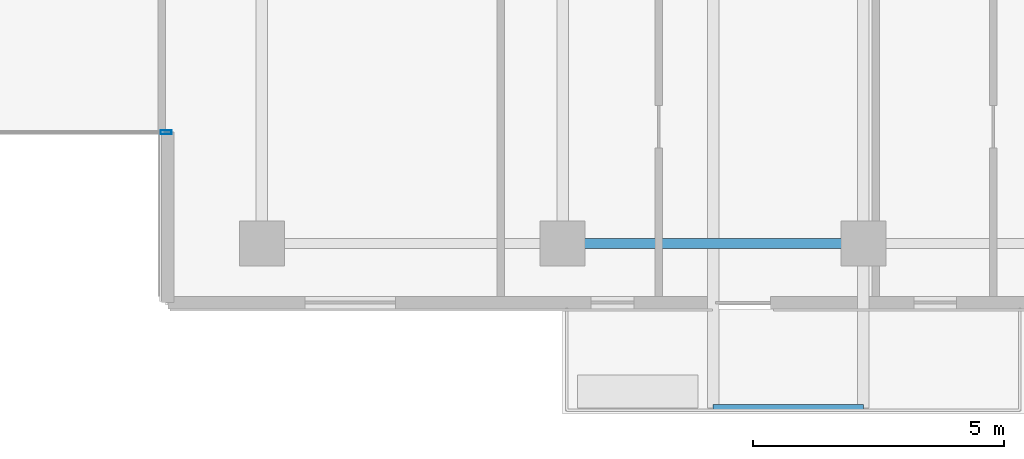
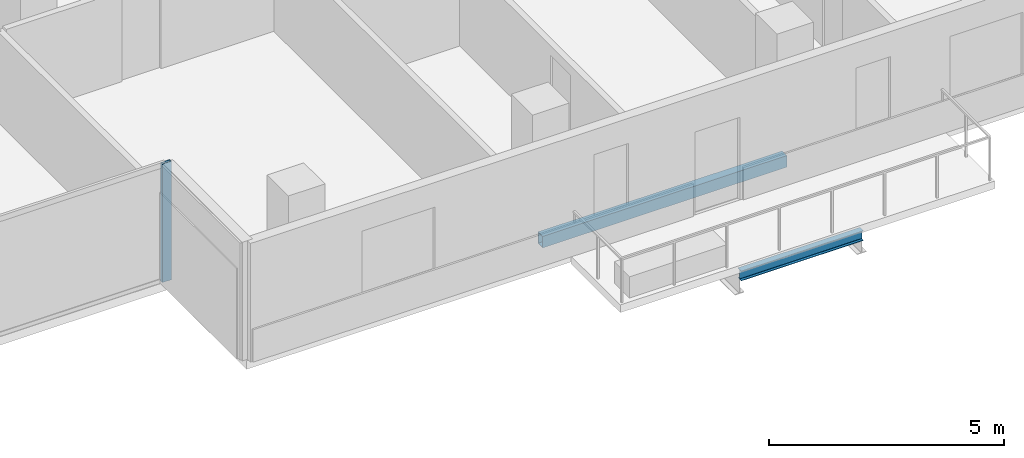
# One storey, part 4 of 19: 2 beams, 1 member, 1 element without a shape of its own.
"""IFC4 building model written with IfcOpenShell, lengths in metres."""

import ifcopenshell
import ifcopenshell.guid

model = None  # the IFC model being written
_history = None  # IfcOwnerHistory: only IFC2X3 demands one
_inside = {}  # id of a spatial element -> (the spatial element, [elements in it])
_under = {}  # id of a project, library or spatial element -> (it, [spatial elements below it])
_declared = {}  # id of a project -> (the project, [libraries it declares])
_typed = {}  # id of a type object -> (the type object, [elements of that type])
_made_of = {}  # id of a material, layer set ... -> (it, [elements and type objects made of it])


def new_model(schema):
    """Start an empty IFC model of exactly this schema.

    Asked for "IFC4X3", IfcOpenShell would pick the latest addendum, in which some entities
    have other attributes; the version numbers below select the first issue.
    IFC2X3 requires an IfcOwnerHistory on every rooted entity: one is made here for all.
    """
    global model, _history
    if schema == "IFC4X3":
        model = ifcopenshell.file(schema_version=(4, 3, 0, 0))
    else:
        model = ifcopenshell.file(schema=schema)
    _inside.clear()
    _under.clear()
    _declared.clear()
    _typed.clear()
    _made_of.clear()
    _history = None
    if model.schema == "IFC2X3":
        org = make("IfcOrganization", Name="unknown")
        user = make(
            "IfcPersonAndOrganization",
            ThePerson=make("IfcPerson", FamilyName="unknown"),
            TheOrganization=org,
        )
        app = make(
            "IfcApplication",
            ApplicationDeveloper=org,
            Version="unknown",
            ApplicationFullName="unknown",
            ApplicationIdentifier="unknown",
        )
        _history = make(
            "IfcOwnerHistory",
            OwningUser=user,
            OwningApplication=app,
            ChangeAction="ADDED",
            CreationDate=0,
        )
    return model


def make(cls, **values):
    """One entity of the class cls with the attributes given. An attribute that is None is left unset."""
    return model.create_entity(
        cls, **{name: value for name, value in values.items() if value is not None}
    )


def rooted(cls, **values):
    """An entity with a GlobalId (a new one), such as an element, a storey or a relation."""
    return make(cls, GlobalId=ifcopenshell.guid.new(), OwnerHistory=_history, **values)


def si_unit(unit_type, name, prefix=None):
    """IfcSIUnit, for example si_unit("LENGTHUNIT", "METRE", prefix="MILLI")."""
    return make("IfcSIUnit", UnitType=unit_type, Prefix=prefix, Name=name)


def assignment(units):
    """IfcUnitAssignment: the units of a project."""
    return None if units is None else make("IfcUnitAssignment", Units=units)


def point(xyz):
    """IfcCartesianPoint."""
    return None if xyz is None else make("IfcCartesianPoint", Coordinates=xyz)


def direction(xyz):
    """IfcDirection."""
    return None if xyz is None else make("IfcDirection", DirectionRatios=xyz)


def frame(location, z_axis=None, x_axis=None):
    """IfcAxis2Placement3D, a coordinate frame: its origin and axes. An axis left out is left unset."""
    return make(
        "IfcAxis2Placement3D",
        Location=point(location),
        Axis=direction(z_axis),
        RefDirection=direction(x_axis),
    )


def frame_2d(location, x_axis=None):
    """IfcAxis2Placement2D, a coordinate frame in the plane: its origin and x axis."""
    return make(
        "IfcAxis2Placement2D", Location=point(location), RefDirection=direction(x_axis)
    )


def origin():
    """The frame at (0, 0, 0) with its axes left unset."""
    return frame((0.0, 0.0, 0.0))


def origin_2d():
    """The frame at (0, 0) in the plane with its x axis left unset."""
    return frame_2d((0.0, 0.0))


def place(relative_to, where):
    """IfcLocalPlacement: puts the frame where relative to a parent placement (None: the world)."""
    return make(
        "IfcLocalPlacement", PlacementRelTo=relative_to, RelativePlacement=where
    )


def context(
    kind, dimensions, precision=None, world=None, true_north=None, identifier=None
):
    """IfcGeometricRepresentationContext, for example the 3D "Model" context."""
    return make(
        "IfcGeometricRepresentationContext",
        ContextIdentifier=identifier,
        ContextType=kind,
        CoordinateSpaceDimension=dimensions,
        Precision=precision,
        WorldCoordinateSystem=world,
        TrueNorth=true_north,
    )


def subcontext(parent, identifier, kind, view, scale=None):
    """IfcGeometricRepresentationSubContext, for example "Body" below "Model"."""
    return make(
        "IfcGeometricRepresentationSubContext",
        ContextIdentifier=identifier,
        ContextType=kind,
        ParentContext=parent,
        TargetScale=scale,
        TargetView=view,
    )


def project(units=None, contexts=None):
    """IfcProject with its units and contexts."""
    return rooted(
        "IfcProject",
        Name="project",
        RepresentationContexts=contexts,
        UnitsInContext=assignment(units),
    )


def spatial(cls, under=None, at=None, **own):
    """A site, building, storey or space (cls), placed at a placement, below another one or the project."""
    s = rooted(cls, ObjectPlacement=at, **own)
    if under is not None:
        _under.setdefault(under.id(), (under, []))[1].append(s)
    return s


def profile(cls, at=None, kind="AREA", **sizes):
    """A parametric profile (cls). Its sizes go by their IFC names, for example OverallWidth=200.0."""
    return make(cls, ProfileType=kind, Position=at, **sizes)


def hollow_rectangle(**sizes):
    """IfcRectangleHollowProfileDef."""
    return profile("IfcRectangleHollowProfileDef", **sizes)


def i_section(**sizes):
    """IfcIShapeProfileDef."""
    return profile("IfcIShapeProfileDef", **sizes)


def extrude(swept, where, along, depth):
    """IfcExtrudedAreaSolid: the profile swept, set in the frame where, extruded along a direction by depth."""
    return make(
        "IfcExtrudedAreaSolid",
        SweptArea=swept,
        Position=where,
        ExtrudedDirection=direction(along),
        Depth=depth,
    )


def shape(context_of_items, identifier, shape_type, items):
    """IfcShapeRepresentation: the items that make up one representation, for example the "Body"."""
    return make(
        "IfcShapeRepresentation",
        ContextOfItems=context_of_items,
        RepresentationIdentifier=identifier,
        RepresentationType=shape_type,
        Items=items,
    )


def material(Name=None, Category=None):
    """IfcMaterial."""
    return make("IfcMaterial", Name=Name, Category=Category)


def layer(
    of_material, thickness, ventilated=None, Name=None, Category=None, Priority=None
):
    """IfcMaterialLayer: one layer of a wall or slab, of a material (None: an air gap)."""
    return make(
        "IfcMaterialLayer",
        Material=of_material,
        LayerThickness=thickness,
        IsVentilated=ventilated,
        Name=Name,
        Category=Category,
        Priority=Priority,
    )


def layer_set(layers, Name=None):
    """IfcMaterialLayerSet."""
    return make("IfcMaterialLayerSet", MaterialLayers=layers, LayerSetName=Name)


def material_profile(
    of_material, cross_section, Name=None, Category=None, Priority=None
):
    """IfcMaterialProfile: a cross section and its material."""
    return make(
        "IfcMaterialProfile",
        Name=Name,
        Material=of_material,
        Profile=cross_section,
        Priority=Priority,
        Category=Category,
    )


def profile_set(profiles, Name=None, composite=None):
    """IfcMaterialProfileSet."""
    return make(
        "IfcMaterialProfileSet",
        Name=Name,
        MaterialProfiles=profiles,
        CompositeProfile=composite,
    )


def made_of(thing, what):
    """Note that an element or type object is made of a material, layer set ...; save() writes the relation."""
    if what is not None:
        _made_of.setdefault(what.id(), (what, []))[1].append(thing)
    return thing


def type_object(cls, material=None, **own):
    """A type object (cls), such as IfcWallType, which elements share."""
    return made_of(rooted(cls, **own), material)


def element(
    cls,
    number,
    at=None,
    inside=None,
    cuts=None,
    type_object=None,
    material=None,
    context=None,
    identifier="Body",
    shape_type=None,
    held_by="IfcProductDefinitionShape",
    body=None,
    shapes=None,
    **own,
):
    """One element of the class cls, such as IfcWall. Its Tag is "e" and its number.

    at: its placement. inside: the storey or other place that contains it. cuts: it is an
    opening in that element (IfcRelVoidsElement). A single representation is given by context,
    identifier, shape_type and body (its items); several are given by shapes. held_by: the class
    of the entity that holds the representations. save() writes the other relations.
    """
    e = rooted(cls, Tag="e%d" % number, ObjectPlacement=at, **own)
    if body is not None:
        shapes = [shape(context, identifier, shape_type, body)]
    if shapes is not None:
        e.Representation = make(held_by, Representations=shapes)
    if inside is not None:
        _inside.setdefault(inside.id(), (inside, []))[1].append(e)
    if cuts is not None:
        rooted(
            "IfcRelVoidsElement", RelatingBuildingElement=cuts, RelatedOpeningElement=e
        )
    if type_object is not None:
        _typed.setdefault(type_object.id(), (type_object, []))[1].append(e)
    return made_of(e, material)


def aggregate(whole, parts):
    """IfcRelAggregates: a whole, such as a stair, and the parts it consists of."""
    return rooted("IfcRelAggregates", RelatingObject=whole, RelatedObjects=parts)


def save(model, path):
    """Write the relations noted so far, then the file.

    IfcRelAggregates (storeys below a building ...), IfcRelContainedInSpatialStructure (elements
    in a storey), IfcRelDefinesByType, IfcRelAssociatesMaterial and IfcRelDeclares: one each for
    every whole, place, type object, material and project.
    """
    for whole, parts in _under.values():
        aggregate(whole, parts)
    for where, things in _inside.values():
        rooted(
            "IfcRelContainedInSpatialStructure",
            RelatedElements=things,
            RelatingStructure=where,
        )
    for kind, things in _typed.values():
        rooted("IfcRelDefinesByType", RelatedObjects=things, RelatingType=kind)
    for what, things in _made_of.values():
        rooted("IfcRelAssociatesMaterial", RelatedObjects=things, RelatingMaterial=what)
    for by, libraries in _declared.values():
        rooted("IfcRelDeclares", RelatingContext=by, RelatedDefinitions=libraries)
    model.write(path)


model = new_model("IFC4")

# Units and contexts
model_context = context("Model", 3, precision=1e-05, world=origin(), true_north=direction((0.0, 1.0)))
body_context = subcontext(model_context, "Body", "Model", "MODEL_VIEW")
ifc_project = project(units=[si_unit("LENGTHUNIT", "METRE"), si_unit("AREAUNIT", "SQUARE_METRE"), si_unit("VOLUMEUNIT", "CUBIC_METRE"), si_unit("PLANEANGLEUNIT", "RADIAN"), si_unit("MASSUNIT", "GRAM", prefix="KILO")], contexts=[model_context])

# Site, building, storey
site_placement = place(None, origin())
site = spatial("IfcSite", under=ifc_project, at=site_placement, CompositionType="ELEMENT")
building_placement = place(site_placement, origin())
building = spatial("IfcBuilding", under=site, at=building_placement, Name="Tanjung Sevakor Pilgrim Tower", CompositionType="ELEMENT")
storey_placement = place(building_placement, frame((0.0, 0.0, 135.300048828125)))
storey = spatial("IfcBuildingStorey", under=building, at=storey_placement, Name="L37", CompositionType="ELEMENT", Elevation=135.300048828125)

# Beams
ifc_material_1 = material(Name="Steel S355J2", Category="steel")
ifc_material_profile_1 = material_profile(ifc_material_1, i_section(OverallWidth=0.146484375, OverallDepth=0.256103515625, WebThickness=0.00634765625, FlangeThickness=0.010986328125, FilletRadius=0.007568359375, at=origin_2d()))
ifc_profile_set_1 = profile_set([ifc_material_profile_1], Name="Steel S355J2")
beam_type_1 = type_object("IfcBeamType", Name="BM-B-J6-UB_254x146x37", PredefinedType="JOIST", material=ifc_profile_set_1)
beam_1_placement = place(storey_placement, frame((63.0, 9.919921875, -0.328125), z_axis=(1.0, 0.0, 0.0), x_axis=(0.0, 1.0, 0.0)))
element("IfcBeam", 1, at=beam_1_placement, inside=storey, type_object=beam_type_1, Name="L37 Balcony Rim Tie MAIN-S2", PredefinedType="JOIST", context=body_context, shape_type="SweptSolid", body=[
    extrude(i_section(OverallWidth=0.146484375, OverallDepth=0.256103515625, WebThickness=0.00634765625, FlangeThickness=0.010986328125, FilletRadius=0.007568359375, at=origin_2d()), origin(), (0.0, 0.0, 1.0), 3.0),
])
ifc_material_2 = material(Name="Steel S355J2", Category="steel")
ifc_material_profile_2 = material_profile(ifc_material_2, hollow_rectangle(XDim=0.199951171875, YDim=0.300048828125, WallThickness=0.012451171875, at=origin_2d()))
ifc_profile_set_2 = profile_set([ifc_material_profile_2], Name="Steel S355J2")
beam_type_2 = type_object("IfcBeamType", Name="BM-B-SP3-RHS_300x200x12.5", PredefinedType="SPANDREL", material=ifc_profile_set_2)
beam_2_placement = place(storey_placement, frame((60.0, 13.199951171875, -0.3701171875), z_axis=(1.0, 0.0, 0.0), x_axis=(0.0, 1.0, 0.0)))
element("IfcBeam", 2, at=beam_2_placement, inside=storey, type_object=beam_type_2, Name="L37 Spandrel MAIN S-09", PredefinedType="SPANDREL", context=body_context, shape_type="SweptSolid", body=[
    extrude(hollow_rectangle(XDim=0.199951171875, YDim=0.300048828125, WallThickness=0.012451171875, at=origin_2d()), origin(), (0.0, 0.0, 1.0), 6.0),
])

# Curtain wall, member
ifc_material_3 = material(Name="Aluminium 6063-T6 and Low-E Glass", Category="aluminium")
ifc_layer = layer(ifc_material_3, 0.179931640625)
ifc_layer_set = layer_set([ifc_layer], Name="CW-SYS-CLEFT")
curtain_wall_type = type_object("IfcCurtainWallType", Name="CW-SYS-CLEFT", PredefinedType="NOTDEFINED", material=ifc_layer_set)
curtain_wall_placement = place(storey_placement, origin())
curtain_wall = element("IfcCurtainWall", 3, at=curtain_wall_placement, inside=storey, type_object=curtain_wall_type, Name="L37 Curtain Wall CW-CLF-L37-2", PredefinedType="NOTDEFINED")
ifc_material_4 = material(Name="Aluminium 6063-T6", Category="aluminium")
ifc_material_profile_3 = material_profile(ifc_material_4, hollow_rectangle(XDim=0.074951171875, YDim=0.219970703125, WallThickness=0.0048828125, at=origin_2d()))
ifc_profile_set_3 = profile_set([ifc_material_profile_3], Name="Aluminium 6063-T6")
member_type = type_object("IfcMemberType", Name="TYPE-CWM-2", PredefinedType="MULLION", material=ifc_profile_set_3)
member_placement = place(storey_placement, frame((52.08740234375, 15.425048828125, 0.0), z_axis=(0.0, 0.0, 1.0), x_axis=(0.0, 1.0, 0.0)))
member = element("IfcMember", 4, at=member_placement, type_object=member_type, Name="CW-CLF mullion 2", PredefinedType="MULLION", context=body_context, shape_type="SweptSolid", body=[
    extrude(hollow_rectangle(XDim=0.074951171875, YDim=0.219970703125, WallThickness=0.0048828125, at=origin_2d()), origin(), (0.0, 0.0, 1.0), 3.079833984375),
])
aggregate(curtain_wall, [member])

save(model, "model.ifc")
